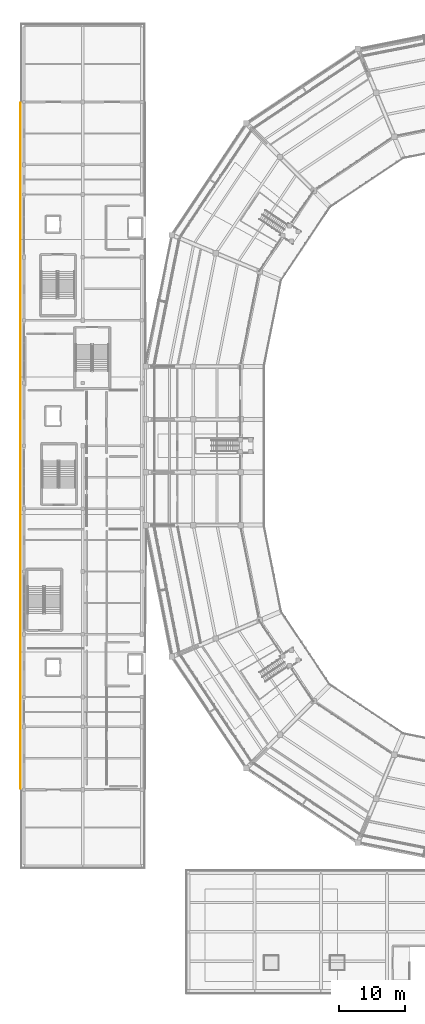
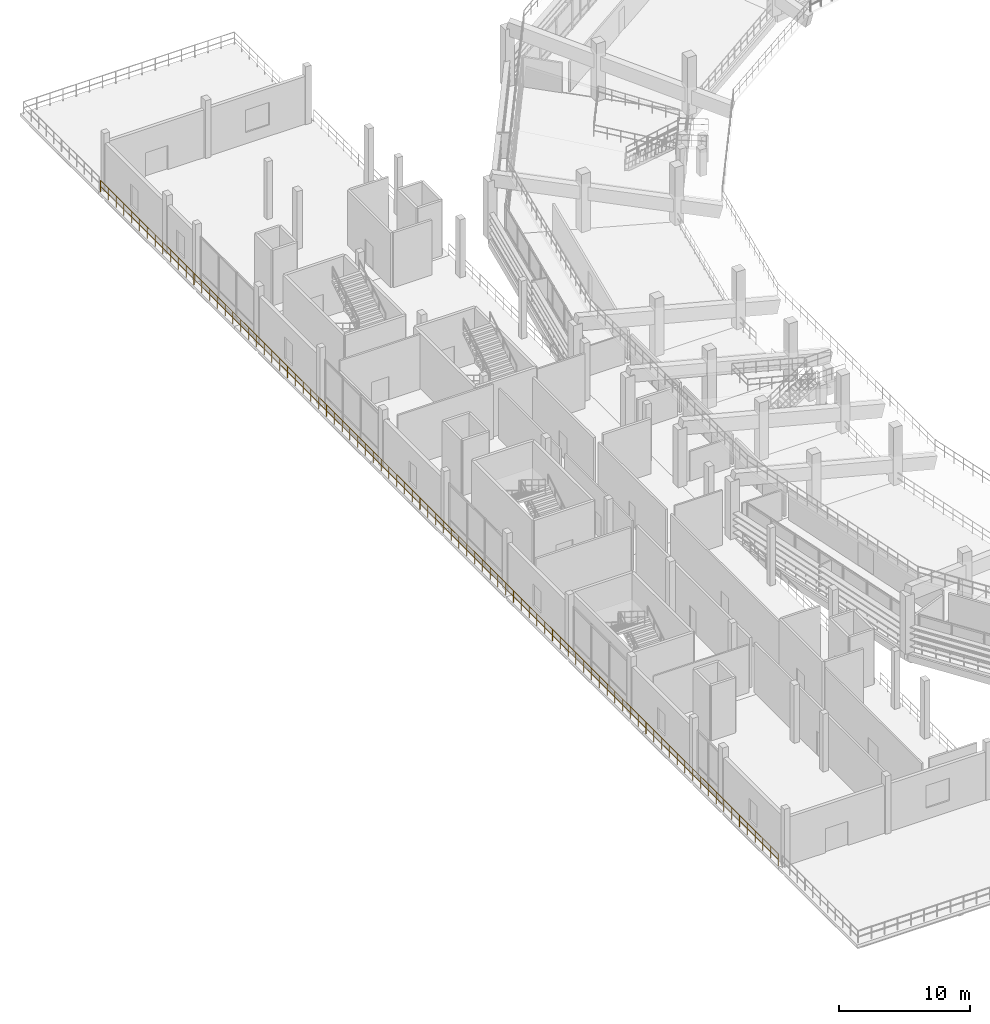
# One storey, part 82 of 96: 1 railing.
"""IFC4 building model written with IfcOpenShell, lengths in metres."""

from ifc_helpers import new_model, si_unit, direction, frame, origin, origin_2d, place, context, subcontext, project, spatial, circle, extrude, material, layer, layer_set, type_object, element, save


model = new_model("IFC4")

# Units and contexts
model_context = context("Model", 3, precision=1e-05, world=origin(), true_north=direction((0.0, 1.0)))
body_context = subcontext(model_context, "Body", "Model", "MODEL_VIEW")
ifc_project = project(units=[si_unit("LENGTHUNIT", "METRE"), si_unit("AREAUNIT", "SQUARE_METRE"), si_unit("VOLUMEUNIT", "CUBIC_METRE"), si_unit("PLANEANGLEUNIT", "RADIAN"), si_unit("MASSUNIT", "GRAM", prefix="KILO")], contexts=[model_context])

# Site, building, storey
site_placement = place(None, origin())
site = spatial("IfcSite", under=ifc_project, at=site_placement, CompositionType="ELEMENT")
building_placement = place(site_placement, origin())
building = spatial("IfcBuilding", under=site, at=building_placement, Name="Candeia Ridge Stadium", CompositionType="ELEMENT")
storey_placement = place(building_placement, frame((0.0, 0.0, 21.60009765625)))
storey = spatial("IfcBuildingStorey", under=building, at=storey_placement, Name="L04", CompositionType="ELEMENT", Elevation=21.60009765625)

# Railing
ifc_material = material(Name="Galvanized Powder-Coated Steel", Category="steel")
ifc_layer = layer(ifc_material, 0.074951171875, Name="Galvanized Powder-Coated Steel", Category="steel")
ifc_layer_set = layer_set([ifc_layer], Name="Galvanized Powder-Coated Steel")
railing_type = type_object("IfcRailingType", Name="Spectator Bowl Front Guardrail 1120", PredefinedType="GUARDRAIL", material=ifc_layer_set)
railing_placement = place(storey_placement, frame((0.080078125, 31.169189453125, 0.0)))
element("IfcRailing", 1, at=railing_placement, inside=storey, type_object=railing_type, Name="Deck edge safety guardrail GR-DE-L04-0209", PredefinedType="GUARDRAIL", context=body_context, shape_type="SweptSolid", body=[
    extrude(circle(Radius=0.02392578125, at=origin_2d()), frame((0.0, 0.0, 1.09619140625), z_axis=(0.0, 1.0, 0.0), x_axis=(-1.0, 0.0, 0.0)), (0.0, 0.0, 1.0), 103.66162109375),
    extrude(circle(Radius=0.02392578125, at=origin_2d()), frame((0.0, 0.0, 0.56005859375), z_axis=(0.0, 1.0, 0.0), x_axis=(-1.0, 0.0, 0.0)), (0.0, 0.0, 1.0), 103.66162109375),
    extrude(circle(Radius=0.02099609375, at=origin_2d()), origin(), (0.0, 0.0, 1.0), 1.072021484375),
    extrude(circle(Radius=0.02099609375, at=origin_2d()), frame((0.0, 1.19140625, 0.0)), (0.0, 0.0, 1.0), 1.072021484375),
    extrude(circle(Radius=0.02099609375, at=origin_2d()), frame((0.0, 2.383056640625, 0.0)), (0.0, 0.0, 1.0), 1.072021484375),
    extrude(circle(Radius=0.02099609375, at=origin_2d()), frame((0.0, 3.574462890625, 0.0)), (0.0, 0.0, 1.0), 1.072021484375),
    extrude(circle(Radius=0.02099609375, at=origin_2d()), frame((0.0, 4.76611328125, 0.0)), (0.0, 0.0, 1.0), 1.072021484375),
    extrude(circle(Radius=0.02099609375, at=origin_2d()), frame((0.0, 5.95751953125, 0.0)), (0.0, 0.0, 1.0), 1.072021484375),
    extrude(circle(Radius=0.02099609375, at=origin_2d()), frame((0.0, 7.149169921875, 0.0)), (0.0, 0.0, 1.0), 1.072021484375),
    extrude(circle(Radius=0.02099609375, at=origin_2d()), frame((0.0, 8.340576171875, 0.0)), (0.0, 0.0, 1.0), 1.072021484375),
    extrude(circle(Radius=0.02099609375, at=origin_2d()), frame((0.0, 9.531982421875, 0.0)), (0.0, 0.0, 1.0), 1.072021484375),
    extrude(circle(Radius=0.02099609375, at=origin_2d()), frame((0.0, 10.7236328125, 0.0)), (0.0, 0.0, 1.0), 1.072021484375),
    extrude(circle(Radius=0.02099609375, at=origin_2d()), frame((0.0, 11.9150390625, 0.0)), (0.0, 0.0, 1.0), 1.072021484375),
    extrude(circle(Radius=0.02099609375, at=origin_2d()), frame((0.0, 13.106689453125, 0.0)), (0.0, 0.0, 1.0), 1.072021484375),
    extrude(circle(Radius=0.02099609375, at=origin_2d()), frame((0.0, 14.298095703125, 0.0)), (0.0, 0.0, 1.0), 1.072021484375),
    extrude(circle(Radius=0.02099609375, at=origin_2d()), frame((0.0, 15.48974609375, 0.0)), (0.0, 0.0, 1.0), 1.072021484375),
    extrude(circle(Radius=0.02099609375, at=origin_2d()), frame((0.0, 16.68115234375, 0.0)), (0.0, 0.0, 1.0), 1.072021484375),
    extrude(circle(Radius=0.02099609375, at=origin_2d()), frame((0.0, 17.872802734375, 0.0)), (0.0, 0.0, 1.0), 1.072021484375),
    extrude(circle(Radius=0.02099609375, at=origin_2d()), frame((0.0, 19.064208984375, 0.0)), (0.0, 0.0, 1.0), 1.072021484375),
    extrude(circle(Radius=0.02099609375, at=origin_2d()), frame((0.0, 20.255615234375, 0.0)), (0.0, 0.0, 1.0), 1.072021484375),
    extrude(circle(Radius=0.02099609375, at=origin_2d()), frame((0.0, 21.447265625, 0.0)), (0.0, 0.0, 1.0), 1.072021484375),
    extrude(circle(Radius=0.02099609375, at=origin_2d()), frame((0.0, 22.638671875, 0.0)), (0.0, 0.0, 1.0), 1.072021484375),
    extrude(circle(Radius=0.02099609375, at=origin_2d()), frame((0.0, 23.830322265625, 0.0)), (0.0, 0.0, 1.0), 1.072021484375),
    extrude(circle(Radius=0.02099609375, at=origin_2d()), frame((0.0, 25.021728515625, 0.0)), (0.0, 0.0, 1.0), 1.072021484375),
    extrude(circle(Radius=0.02099609375, at=origin_2d()), frame((0.0, 26.21337890625, 0.0)), (0.0, 0.0, 1.0), 1.072021484375),
    extrude(circle(Radius=0.02099609375, at=origin_2d()), frame((0.0, 27.40478515625, 0.0)), (0.0, 0.0, 1.0), 1.072021484375),
    extrude(circle(Radius=0.02099609375, at=origin_2d()), frame((0.0, 28.59619140625, 0.0)), (0.0, 0.0, 1.0), 1.072021484375),
    extrude(circle(Radius=0.02099609375, at=origin_2d()), frame((0.0, 29.787841796875, 0.0)), (0.0, 0.0, 1.0), 1.072021484375),
    extrude(circle(Radius=0.02099609375, at=origin_2d()), frame((0.0, 30.979248046875, 0.0)), (0.0, 0.0, 1.0), 1.072021484375),
    extrude(circle(Radius=0.02099609375, at=origin_2d()), frame((0.0, 32.1708984375, 0.0)), (0.0, 0.0, 1.0), 1.072021484375),
    extrude(circle(Radius=0.02099609375, at=origin_2d()), frame((0.0, 33.3623046875, 0.0)), (0.0, 0.0, 1.0), 1.072021484375),
    extrude(circle(Radius=0.02099609375, at=origin_2d()), frame((0.0, 34.553955078125, 0.0)), (0.0, 0.0, 1.0), 1.072021484375),
    extrude(circle(Radius=0.02099609375, at=origin_2d()), frame((0.0, 35.745361328125, 0.0)), (0.0, 0.0, 1.0), 1.072021484375),
    extrude(circle(Radius=0.02099609375, at=origin_2d()), frame((0.0, 36.93701171875, 0.0)), (0.0, 0.0, 1.0), 1.072021484375),
    extrude(circle(Radius=0.02099609375, at=origin_2d()), frame((0.0, 38.12841796875, 0.0)), (0.0, 0.0, 1.0), 1.072021484375),
    extrude(circle(Radius=0.02099609375, at=origin_2d()), frame((0.0, 39.31982421875, 0.0)), (0.0, 0.0, 1.0), 1.072021484375),
    extrude(circle(Radius=0.02099609375, at=origin_2d()), frame((0.0, 40.511474609375, 0.0)), (0.0, 0.0, 1.0), 1.072021484375),
    extrude(circle(Radius=0.02099609375, at=origin_2d()), frame((0.0, 41.702880859375, 0.0)), (0.0, 0.0, 1.0), 1.072021484375),
    extrude(circle(Radius=0.02099609375, at=origin_2d()), frame((0.0, 42.89453125, 0.0)), (0.0, 0.0, 1.0), 1.072021484375),
    extrude(circle(Radius=0.02099609375, at=origin_2d()), frame((0.0, 44.0859375, 0.0)), (0.0, 0.0, 1.0), 1.072021484375),
    extrude(circle(Radius=0.02099609375, at=origin_2d()), frame((0.0, 45.277587890625, 0.0)), (0.0, 0.0, 1.0), 1.072021484375),
    extrude(circle(Radius=0.02099609375, at=origin_2d()), frame((0.0, 46.468994140625, 0.0)), (0.0, 0.0, 1.0), 1.072021484375),
    extrude(circle(Radius=0.02099609375, at=origin_2d()), frame((0.0, 47.660400390625, 0.0)), (0.0, 0.0, 1.0), 1.072021484375),
    extrude(circle(Radius=0.02099609375, at=origin_2d()), frame((0.0, 48.85205078125, 0.0)), (0.0, 0.0, 1.0), 1.072021484375),
    extrude(circle(Radius=0.02099609375, at=origin_2d()), frame((0.0, 50.04345703125, 0.0)), (0.0, 0.0, 1.0), 1.072021484375),
    extrude(circle(Radius=0.02099609375, at=origin_2d()), frame((0.0, 51.235107421875, 0.0)), (0.0, 0.0, 1.0), 1.072021484375),
    extrude(circle(Radius=0.02099609375, at=origin_2d()), frame((0.0, 52.426513671875, 0.0)), (0.0, 0.0, 1.0), 1.072021484375),
    extrude(circle(Radius=0.02099609375, at=origin_2d()), frame((0.0, 53.6181640625, 0.0)), (0.0, 0.0, 1.0), 1.072021484375),
    extrude(circle(Radius=0.02099609375, at=origin_2d()), frame((0.0, 54.8095703125, 0.0)), (0.0, 0.0, 1.0), 1.072021484375),
    extrude(circle(Radius=0.02099609375, at=origin_2d()), frame((0.0, 56.001220703125, 0.0)), (0.0, 0.0, 1.0), 1.072021484375),
    extrude(circle(Radius=0.02099609375, at=origin_2d()), frame((0.0, 57.192626953125, 0.0)), (0.0, 0.0, 1.0), 1.072021484375),
    extrude(circle(Radius=0.02099609375, at=origin_2d()), frame((0.0, 58.384033203125, 0.0)), (0.0, 0.0, 1.0), 1.072021484375),
    extrude(circle(Radius=0.02099609375, at=origin_2d()), frame((0.0, 59.57568359375, 0.0)), (0.0, 0.0, 1.0), 1.072021484375),
    extrude(circle(Radius=0.02099609375, at=origin_2d()), frame((0.0, 60.76708984375, 0.0)), (0.0, 0.0, 1.0), 1.072021484375),
    extrude(circle(Radius=0.02099609375, at=origin_2d()), frame((0.0, 61.958740234375, 0.0)), (0.0, 0.0, 1.0), 1.072021484375),
    extrude(circle(Radius=0.02099609375, at=origin_2d()), frame((0.0, 63.150146484375, 0.0)), (0.0, 0.0, 1.0), 1.072021484375),
    extrude(circle(Radius=0.02099609375, at=origin_2d()), frame((0.0, 64.341796875, 0.0)), (0.0, 0.0, 1.0), 1.072021484375),
    extrude(circle(Radius=0.02099609375, at=origin_2d()), frame((0.0, 65.533203125, 0.0)), (0.0, 0.0, 1.0), 1.072021484375),
    extrude(circle(Radius=0.02099609375, at=origin_2d()), frame((0.0, 66.724609375, 0.0)), (0.0, 0.0, 1.0), 1.072021484375),
    extrude(circle(Radius=0.02099609375, at=origin_2d()), frame((0.0, 67.916259765625, 0.0)), (0.0, 0.0, 1.0), 1.072021484375),
    extrude(circle(Radius=0.02099609375, at=origin_2d()), frame((0.0, 69.107666015625, 0.0)), (0.0, 0.0, 1.0), 1.072021484375),
    extrude(circle(Radius=0.02099609375, at=origin_2d()), frame((0.0, 70.29931640625, 0.0)), (0.0, 0.0, 1.0), 1.072021484375),
    extrude(circle(Radius=0.02099609375, at=origin_2d()), frame((0.0, 71.49072265625, 0.0)), (0.0, 0.0, 1.0), 1.072021484375),
    extrude(circle(Radius=0.02099609375, at=origin_2d()), frame((0.0, 72.682373046875, 0.0)), (0.0, 0.0, 1.0), 1.072021484375),
    extrude(circle(Radius=0.02099609375, at=origin_2d()), frame((0.0, 73.873779296875, 0.0)), (0.0, 0.0, 1.0), 1.072021484375),
    extrude(circle(Radius=0.02099609375, at=origin_2d()), frame((0.0, 75.0654296875, 0.0)), (0.0, 0.0, 1.0), 1.072021484375),
    extrude(circle(Radius=0.02099609375, at=origin_2d()), frame((0.0, 76.2568359375, 0.0)), (0.0, 0.0, 1.0), 1.072021484375),
    extrude(circle(Radius=0.02099609375, at=origin_2d()), frame((0.0, 77.4482421875, 0.0)), (0.0, 0.0, 1.0), 1.072021484375),
    extrude(circle(Radius=0.02099609375, at=origin_2d()), frame((0.0, 78.639892578125, 0.0)), (0.0, 0.0, 1.0), 1.072021484375),
    extrude(circle(Radius=0.02099609375, at=origin_2d()), frame((0.0, 79.831298828125, 0.0)), (0.0, 0.0, 1.0), 1.072021484375),
    extrude(circle(Radius=0.02099609375, at=origin_2d()), frame((0.0, 81.02294921875, 0.0)), (0.0, 0.0, 1.0), 1.072021484375),
    extrude(circle(Radius=0.02099609375, at=origin_2d()), frame((0.0, 82.21435546875, 0.0)), (0.0, 0.0, 1.0), 1.072021484375),
    extrude(circle(Radius=0.02099609375, at=origin_2d()), frame((0.0, 83.406005859375, 0.0)), (0.0, 0.0, 1.0), 1.072021484375),
    extrude(circle(Radius=0.02099609375, at=origin_2d()), frame((0.0, 84.597412109375, 0.0)), (0.0, 0.0, 1.0), 1.072021484375),
    extrude(circle(Radius=0.02099609375, at=origin_2d()), frame((0.0, 85.788818359375, 0.0)), (0.0, 0.0, 1.0), 1.072021484375),
    extrude(circle(Radius=0.02099609375, at=origin_2d()), frame((0.0, 86.98046875, 0.0)), (0.0, 0.0, 1.0), 1.072021484375),
    extrude(circle(Radius=0.02099609375, at=origin_2d()), frame((0.0, 88.171875, 0.0)), (0.0, 0.0, 1.0), 1.072021484375),
    extrude(circle(Radius=0.02099609375, at=origin_2d()), frame((0.0, 89.363525390625, 0.0)), (0.0, 0.0, 1.0), 1.072021484375),
    extrude(circle(Radius=0.02099609375, at=origin_2d()), frame((0.0, 90.554931640625, 0.0)), (0.0, 0.0, 1.0), 1.072021484375),
    extrude(circle(Radius=0.02099609375, at=origin_2d()), frame((0.0, 91.74658203125, 0.0)), (0.0, 0.0, 1.0), 1.072021484375),
    extrude(circle(Radius=0.02099609375, at=origin_2d()), frame((0.0, 92.93798828125, 0.0)), (0.0, 0.0, 1.0), 1.072021484375),
    extrude(circle(Radius=0.02099609375, at=origin_2d()), frame((0.0, 94.129638671875, 0.0)), (0.0, 0.0, 1.0), 1.072021484375),
    extrude(circle(Radius=0.02099609375, at=origin_2d()), frame((0.0, 95.321044921875, 0.0)), (0.0, 0.0, 1.0), 1.072021484375),
    extrude(circle(Radius=0.02099609375, at=origin_2d()), frame((0.0, 96.512451171875, 0.0)), (0.0, 0.0, 1.0), 1.072021484375),
    extrude(circle(Radius=0.02099609375, at=origin_2d()), frame((0.0, 97.7041015625, 0.0)), (0.0, 0.0, 1.0), 1.072021484375),
    extrude(circle(Radius=0.02099609375, at=origin_2d()), frame((0.0, 98.8955078125, 0.0)), (0.0, 0.0, 1.0), 1.072021484375),
    extrude(circle(Radius=0.02099609375, at=origin_2d()), frame((0.0, 100.087158203125, 0.0)), (0.0, 0.0, 1.0), 1.072021484375),
    extrude(circle(Radius=0.02099609375, at=origin_2d()), frame((0.0, 101.278564453125, 0.0)), (0.0, 0.0, 1.0), 1.072021484375),
    extrude(circle(Radius=0.02099609375, at=origin_2d()), frame((0.0, 102.47021484375, 0.0)), (0.0, 0.0, 1.0), 1.072021484375),
    extrude(circle(Radius=0.02099609375, at=origin_2d()), frame((0.0, 103.66162109375, 0.0)), (0.0, 0.0, 1.0), 1.072021484375),
])

save(model, "model.ifc")
